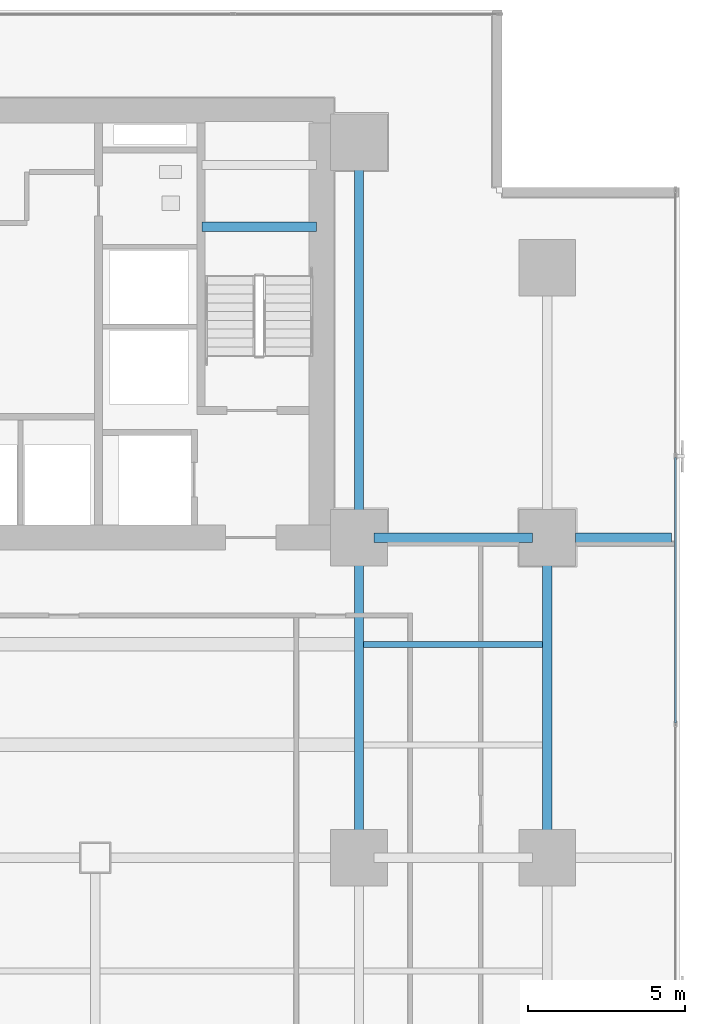
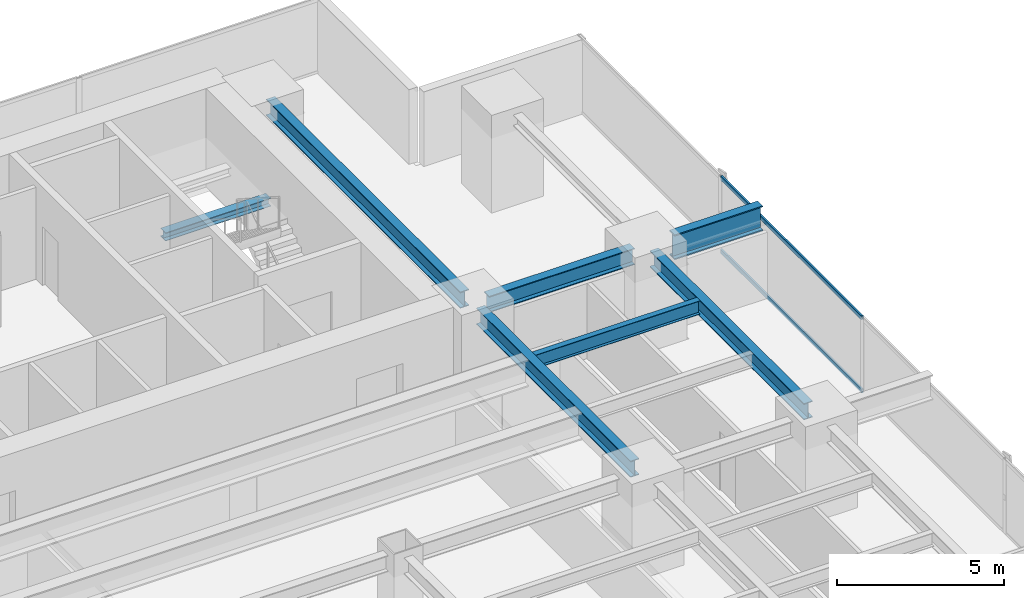
# One storey, part 20 of 34: 7 beams, 2 members, 1 element without a shape of its own.
"""IFC4 building model written with IfcOpenShell, lengths in metres."""

from ifc_helpers import new_model, si_unit, direction, frame, origin, origin_2d, place, context, subcontext, project, spatial, hollow_rectangle, i_section, extrude, source, transform, mapped, material, layer, layer_set, material_profile, profile_set, type_object, element, aggregate, save


model = new_model("IFC4")

# Units and contexts
model_context = context("Model", 3, precision=1e-05, world=origin(), true_north=direction((0.0, 1.0)))
body_context = subcontext(model_context, "Body", "Model", "MODEL_VIEW")
ifc_project = project(units=[si_unit("LENGTHUNIT", "METRE"), si_unit("AREAUNIT", "SQUARE_METRE"), si_unit("VOLUMEUNIT", "CUBIC_METRE"), si_unit("PLANEANGLEUNIT", "RADIAN"), si_unit("MASSUNIT", "GRAM", prefix="KILO")], contexts=[model_context])

# Site, building, storey
site_placement = place(None, origin())
site = spatial("IfcSite", under=ifc_project, at=site_placement, CompositionType="ELEMENT")
building_placement = place(site_placement, origin())
building = spatial("IfcBuilding", under=site, at=building_placement, Name="Sumidabori Civic Tower", CompositionType="ELEMENT")
storey_placement = place(building_placement, frame((0.0, 0.0, 41.60009765625)))
storey = spatial("IfcBuildingStorey", under=building, at=storey_placement, Name="L10", CompositionType="ELEMENT", Elevation=41.60009765625)

# Beams
ifc_material_1 = material(Name="Steel SN490", Category="steel")
ifc_material_profile_1 = material_profile(ifc_material_1, i_section(OverallWidth=0.300048828125, OverallDepth=0.300048828125, WebThickness=0.010986328125, FlangeThickness=0.01904296875, at=origin_2d()), Name="HE 300 B")
ifc_profile_set_1 = profile_set([ifc_material_profile_1], Name="Steel SN490")
beam_type_1 = type_object("IfcBeamType", Name="BM-LDG-300", PredefinedType="BEAM", material=ifc_profile_set_1)
shared_shape_1 = source(origin(), body_context, "Body", "SweptSolid", [
    extrude(i_section(OverallWidth=0.300048828125, OverallDepth=0.300048828125, WebThickness=0.010986328125, FlangeThickness=0.01904296875, at=origin_2d()), origin(), (0.0, 0.0, 1.0), 3.64990234375),
])
beam_1_placement = place(storey_placement, frame((11.800048828125, 20.09765625, 1.449951171875), z_axis=(1.0, 0.0, 0.0), x_axis=(0.0, 1.0, 0.0)))
element("IfcBeam", 1, at=beam_1_placement, inside=storey, type_object=beam_type_1, Name="Stair ST-2 Landing Support Beam L10-1A", PredefinedType="BEAM", context=body_context, shape_type="MappedRepresentation", body=[
    mapped(shared_shape_1, transform((0.0, 0.0, 0.0), x_axis=(1.0, 0.0, 0.0), y_axis=(0.0, 1.0, 0.0), z_axis=(0.0, 0.0, 1.0), scale=1.0)),
])
ifc_material_profile_2 = material_profile(ifc_material_1, i_section(OverallWidth=0.300048828125, OverallDepth=0.60009765625, WebThickness=0.015380859375, FlangeThickness=0.030029296875, at=origin_2d()), Name="HE 600 B")
ifc_profile_set_2 = profile_set([ifc_material_profile_2], Name="Steel SN490")
beam_type_2 = type_object("IfcBeamType", Name="BM-GIRD-600", PredefinedType="BEAM", material=ifc_profile_set_2)
shared_shape_2 = source(origin(), body_context, "Body", "SweptSolid", [
    extrude(i_section(OverallWidth=0.300048828125, OverallDepth=0.60009765625, WebThickness=0.015380859375, FlangeThickness=0.030029296875, at=origin_2d()), origin(), (0.0, 0.0, 1.0), 5.0400390625),
])
beam_2_placement = place(storey_placement, frame((17.280029296875, 10.199951171875, 3.059814453125), z_axis=(1.0, 0.0, 0.0), x_axis=(0.0, 1.0, 0.0)))
element("IfcBeam", 2, at=beam_2_placement, inside=storey, type_object=beam_type_2, Name="Primary Girder L10 GX-20", PredefinedType="BEAM", context=body_context, shape_type="MappedRepresentation", body=[
    mapped(shared_shape_2, transform((0.0, 0.0, 0.0), x_axis=(1.0, 0.0, 0.0), y_axis=(0.0, 1.0, 0.0), z_axis=(0.0, 0.0, 1.0), scale=1.0)),
])
shared_shape_3 = source(origin(), body_context, "Body", "SweptSolid", [
    extrude(i_section(OverallWidth=0.300048828125, OverallDepth=0.60009765625, WebThickness=0.015380859375, FlangeThickness=0.030029296875, at=origin_2d()), origin(), (0.0, 0.0, 1.0), 9.239990234375),
])
for number, where, z_axis, x_axis, name in (
    (3, (16.800048828125, 0.47998046875, 3.059814453125), (0.0, 1.0, 0.0), (-1.0, 0.0, 0.0), "Primary Girder L10 GY-37"),
    (4, (22.800048828125, 0.47998046875, 3.059814453125), (0.0, 1.0, 0.0), (-1.0, 0.0, 0.0), "Primary Girder L10 GY-41"),
):
    element("IfcBeam", number, at=place(storey_placement, frame(where, z_axis=z_axis, x_axis=x_axis)), inside=storey, type_object=beam_type_2, Name=name, PredefinedType="BEAM", context=body_context, shape_type="MappedRepresentation", body=[
        mapped(shared_shape_3, transform((0.0, 0.0, 0.0), x_axis=(1.0, 0.0, 0.0), y_axis=(0.0, 1.0, 0.0), z_axis=(0.0, 0.0, 1.0), scale=1.0)),
    ])
shared_shape_4 = source(origin(), body_context, "Body", "SweptSolid", [
    extrude(i_section(OverallWidth=0.300048828125, OverallDepth=0.60009765625, WebThickness=0.015380859375, FlangeThickness=0.030029296875, at=origin_2d()), origin(), (0.0, 0.0, 1.0), 11.64013671875),
])
beam_3_placement = place(storey_placement, frame((16.800048828125, 10.679931640625, 3.059814453125), z_axis=(0.0, 1.0, 0.0), x_axis=(-1.0, 0.0, 0.0)))
element("IfcBeam", 5, at=beam_3_placement, inside=storey, type_object=beam_type_2, Name="Primary Girder L10 GY-38", PredefinedType="BEAM", context=body_context, shape_type="MappedRepresentation", body=[
    mapped(shared_shape_4, transform((0.0, 0.0, 0.0), x_axis=(1.0, 0.0, 0.0), y_axis=(0.0, 1.0, 0.0), z_axis=(0.0, 0.0, 1.0), scale=1.0)),
])
ifc_material_profile_3 = material_profile(ifc_material_1, i_section(OverallWidth=0.302001953125, OverallDepth=0.909912109375, WebThickness=0.02099609375, FlangeThickness=0.0400390625, at=origin_2d()), Name="HE 900 M")
ifc_profile_set_3 = profile_set([ifc_material_profile_3], Name="Steel SN490")
beam_type_3 = type_object("IfcBeamType", Name="BM-Z1-EDGE", PredefinedType="SPANDREL", material=ifc_profile_set_3)
shared_shape_5 = source(origin(), body_context, "Body", "SweptSolid", [
    extrude(i_section(OverallWidth=0.302001953125, OverallDepth=0.909912109375, WebThickness=0.02099609375, FlangeThickness=0.0400390625, at=origin_2d()), origin(), (0.0, 0.0, 1.0), 3.050048828125),
])
beam_4_placement = place(storey_placement, frame((23.699951171875, 10.199951171875, 2.90478515625), z_axis=(1.0, 0.0, 0.0), x_axis=(0.0, 1.0, 0.0)))
element("IfcBeam", 6, at=beam_4_placement, inside=storey, type_object=beam_type_3, Name="Perimeter Overhang Beam L10 E-47", PredefinedType="SPANDREL", context=body_context, shape_type="MappedRepresentation", body=[
    mapped(shared_shape_5, transform((0.0, 0.0, 0.0), x_axis=(1.0, 0.0, 0.0), y_axis=(0.0, 1.0, 0.0), z_axis=(0.0, 0.0, 1.0), scale=1.0)),
])
ifc_material_profile_4 = material_profile(ifc_material_1, i_section(OverallWidth=0.199951171875, OverallDepth=0.5, WebThickness=0.01025390625, FlangeThickness=0.01611328125, at=origin_2d()), Name="IPE 500")
ifc_profile_set_4 = profile_set([ifc_material_profile_4], Name="Steel SN490")
beam_type_4 = type_object("IfcBeamType", Name="BM-JST-500", PredefinedType="JOIST", material=ifc_profile_set_4)
shared_shape_6 = source(origin(), body_context, "Body", "SweptSolid", [
    extrude(i_section(OverallWidth=0.199951171875, OverallDepth=0.5, WebThickness=0.01025390625, FlangeThickness=0.01611328125, at=origin_2d()), origin(), (0.0, 0.0, 1.0), 5.699951171875),
])
beam_5_placement = place(storey_placement, frame((16.949951171875, 6.800048828125, 3.10986328125), z_axis=(1.0, 0.0, 0.0), x_axis=(0.0, 1.0, 0.0)))
element("IfcBeam", 7, at=beam_5_placement, inside=storey, type_object=beam_type_4, Name="Outer Bay Floor Joist L10 JSTO-56", PredefinedType="JOIST", context=body_context, shape_type="MappedRepresentation", body=[
    mapped(shared_shape_6, transform((0.0, 0.0, 0.0), x_axis=(1.0, 0.0, 0.0), y_axis=(0.0, 1.0, 0.0), z_axis=(0.0, 0.0, 1.0), scale=1.0)),
])

# Curtain wall, members
ifc_material_2 = material(Name="Anodised Bronze Aluminium AW-6063-T6", Category="aluminium")
ifc_layer = layer(ifc_material_2, 0.179931640625, Name="Anodised Bronze Aluminium AW-6063-T6")
ifc_layer_set = layer_set([ifc_layer], Name="Anodised Bronze Aluminium AW-6063-T6")
curtain_wall_type = type_object("IfcCurtainWallType", Name="CW-SYS-2", PredefinedType="NOTDEFINED", material=ifc_layer_set)
curtain_wall_placement = place(storey_placement, origin())
curtain_wall = element("IfcCurtainWall", 8, at=curtain_wall_placement, inside=storey, type_object=curtain_wall_type, Name="Curtain Wall CW:L10:R04", PredefinedType="NOTDEFINED")
ifc_material_profile_5 = material_profile(ifc_material_2, hollow_rectangle(XDim=0.06494140625, YDim=0.14990234375, WallThickness=0.0048828125, at=origin_2d()), Name="ALU TRANSOM 150x65")
ifc_profile_set_5 = profile_set([ifc_material_profile_5], Name="Anodised Bronze Aluminium AW-6063-T6")
member_type = type_object("IfcMemberType", Name="CW-TRN-150", PredefinedType="USERDEFINED", material=ifc_profile_set_5)
shared_shape_7 = source(origin(), body_context, "Body", "SweptSolid", [
    extrude(hollow_rectangle(XDim=0.06494140625, YDim=0.14990234375, WallThickness=0.0048828125, at=origin_2d()), origin(), (0.0, 0.0, 1.0), 8.4580078125),
])
member_1_placement = place(storey_placement, frame((26.8798828125, 4.299072265625, 0.032470703125), z_axis=(0.0, 1.0, 0.0), x_axis=(-1.0, 0.0, 0.0)))
member_1 = element("IfcMember", 9, at=member_1_placement, type_object=member_type, Name="CW-2 transom 4.1", ObjectType="TRANSOM", PredefinedType="USERDEFINED", context=body_context, shape_type="MappedRepresentation", body=[
    mapped(shared_shape_7, transform((0.0, 0.0, 0.0), x_axis=(1.0, 0.0, 0.0), y_axis=(0.0, 1.0, 0.0), z_axis=(0.0, 0.0, 1.0), scale=1.0)),
])
member_2_placement = place(storey_placement, frame((26.8798828125, 4.299072265625, 2.70751953125), z_axis=(0.0, 1.0, 0.0), x_axis=(-1.0, 0.0, 0.0)))
member_2 = element("IfcMember", 10, at=member_2_placement, type_object=member_type, Name="CW-2 transom 4.2", ObjectType="TRANSOM", PredefinedType="USERDEFINED", context=body_context, shape_type="MappedRepresentation", body=[
    mapped(shared_shape_7, transform((0.0, 0.0, 0.0), x_axis=(1.0, 0.0, 0.0), y_axis=(0.0, 1.0, 0.0), z_axis=(0.0, 0.0, 1.0), scale=1.0)),
])
aggregate(curtain_wall, [member_1, member_2])

save(model, "model.ifc")
